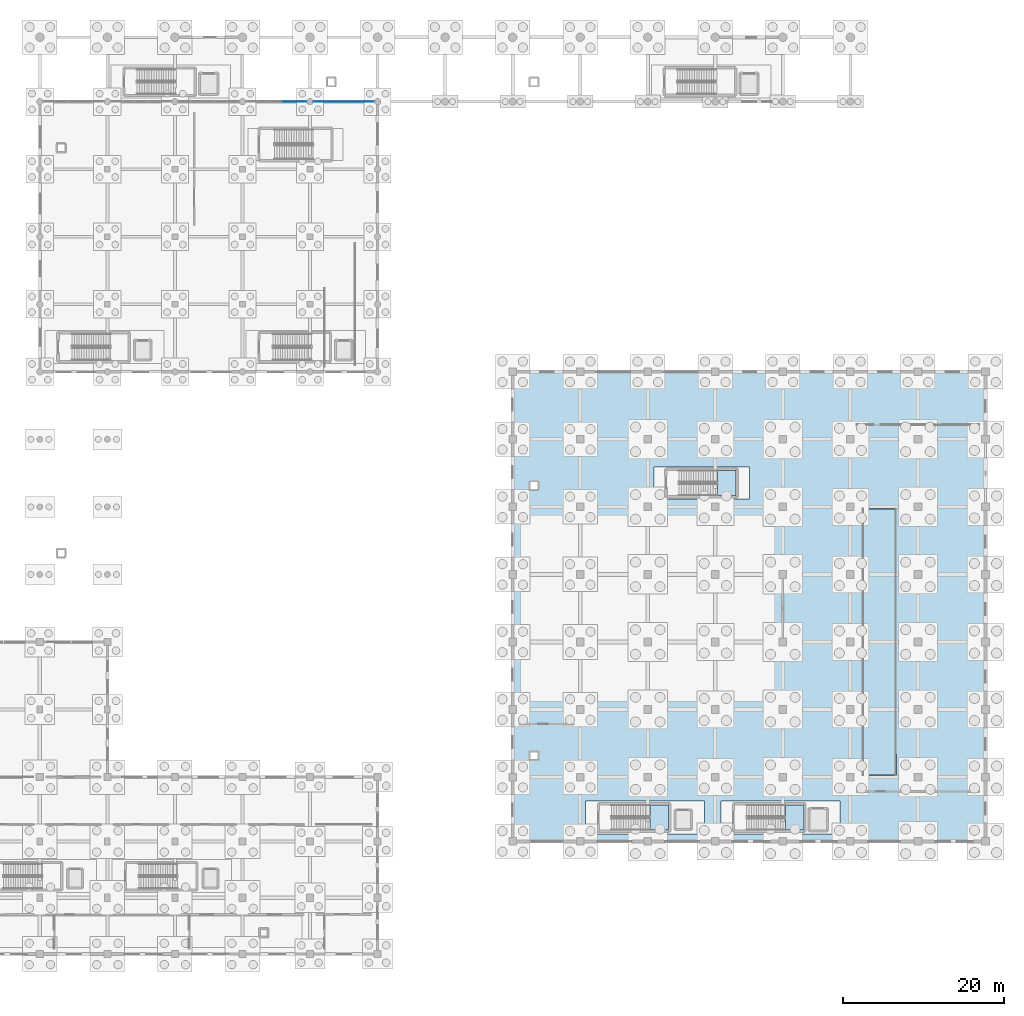
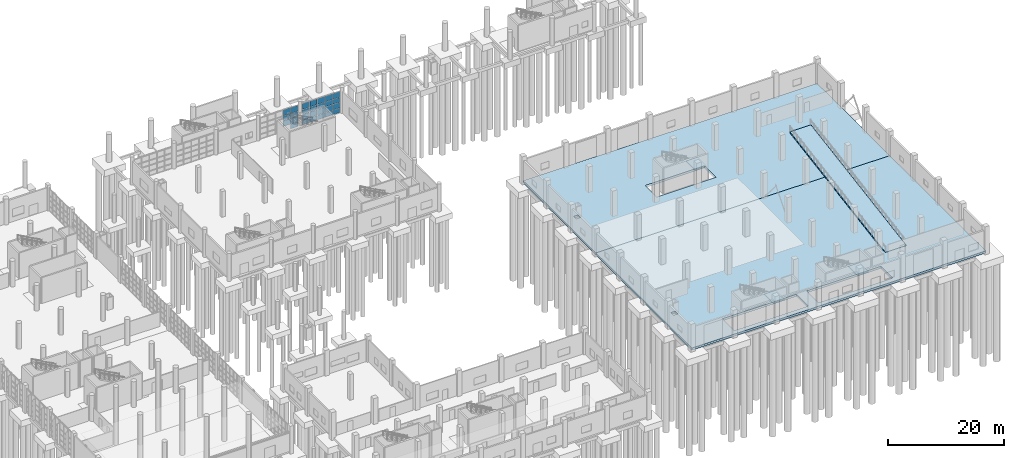
# One storey, part 45 of 83: 27 plates, 6 slabs, 5 elements without a shape of their own.
"""IFC4 building model written with IfcOpenShell, lengths in metres."""

from ifc_helpers import new_model, si_unit, direction, frame, origin, origin_2d, place, context, subcontext, project, spatial, polyline, rectangle, outline, extrude, material, layer, layer_set, type_object, element, aggregate, save


model = new_model("IFC4")

# Units and contexts
model_context = context("Model", 3, precision=1e-05, world=origin(), true_north=direction((0.0, 1.0)))
body_context = subcontext(model_context, "Body", "Model", "MODEL_VIEW")
ifc_project = project(units=[si_unit("LENGTHUNIT", "METRE"), si_unit("AREAUNIT", "SQUARE_METRE"), si_unit("VOLUMEUNIT", "CUBIC_METRE"), si_unit("PLANEANGLEUNIT", "RADIAN"), si_unit("MASSUNIT", "GRAM", prefix="KILO"), si_unit("THERMODYNAMICTEMPERATUREUNIT", "KELVIN"), si_unit("POWERUNIT", "WATT")], contexts=[model_context])

# Site, building, storey
site_placement = place(None, origin())
site = spatial("IfcSite", under=ifc_project, at=site_placement, CompositionType="ELEMENT")
building_placement = place(site_placement, origin())
building = spatial("IfcBuilding", under=site, at=building_placement, Name="Mavoryth Pier Ferry Terminal", CompositionType="ELEMENT")
storey_placement = place(building_placement, origin())
storey = spatial("IfcBuildingStorey", under=building, at=storey_placement, Name="L00", CompositionType="ELEMENT", Elevation=0.0)

# Curtain wall, plates
ifc_material_1 = material(Name="Anodised Aluminium and Solar-Control Low-E Glass", Category="aluminium")
ifc_layer_1 = layer(ifc_material_1, 0.159912109375, Name="Anodised Aluminium and Solar-Control Low-E Glass", Category="aluminium")
ifc_layer_set_1 = layer_set([ifc_layer_1], Name="Anodised Aluminium and Solar-Control Low-E Glass - CW-Arrivals-Mod1400")
curtain_wall_type = type_object("IfcCurtainWallType", Name="CW-Arrivals-Mod1400", PredefinedType="USERDEFINED", material=ifc_layer_set_1)
curtain_wall_1_placement = place(storey_placement, origin())
curtain_wall_1 = element("IfcCurtainWall", 1, at=curtain_wall_1_placement, inside=storey, type_object=curtain_wall_type, Name="Curtain Wall CW-0033-060", ObjectType="UNITISED CURTAIN WALL", PredefinedType="USERDEFINED")
ifc_material_2 = material(Name="Solar-Control Low-E Laminated Double Glazing", Category="glass")
ifc_layer_2 = layer(ifc_material_2, 0.02392578125, Name="Solar-Control Low-E Laminated Double Glazing", Category="glass")
ifc_layer_set_2 = layer_set([ifc_layer_2], Name="Solar-Control Low-E Laminated Double Glazing - Panel-LowE-DGU-24")
plate_type = type_object("IfcPlateType", Name="Panel-LowE-DGU-24", PredefinedType="CURTAIN_PANEL", material=ifc_layer_set_2)
plate_1_placement = place(storey_placement, frame((82.831787109375, 106.0, 0.06494140625), z_axis=(0.0, 0.0, 1.0), x_axis=(-1.0, 0.0, 0.0)))
plate_1 = element("IfcPlate", 2, at=plate_1_placement, type_object=plate_type, Name="CW04 panel 1.1", PredefinedType="CURTAIN_PANEL", context=body_context, shape_type="SweptSolid", body=[
    extrude(rectangle(XDim=1.426513671875, YDim=0.02392578125, at=origin_2d()), origin(), (0.0, 0.0, 1.0), 0.952392578125),
])
plate_2_placement = place(storey_placement, frame((82.831787109375, 106.0, 1.08251953125), z_axis=(0.0, 0.0, 1.0), x_axis=(-1.0, 0.0, 0.0)))
plate_2 = element("IfcPlate", 3, at=plate_2_placement, type_object=plate_type, Name="CW04 panel 1.2", PredefinedType="CURTAIN_PANEL", context=body_context, shape_type="SweptSolid", body=[
    extrude(rectangle(XDim=1.426513671875, YDim=0.02392578125, at=origin_2d()), origin(), (0.0, 0.0, 1.0), 1.135009765625),
])
plate_3_placement = place(storey_placement, frame((82.831787109375, 106.0, 2.2822265625), z_axis=(0.0, 0.0, 1.0), x_axis=(-1.0, 0.0, 0.0)))
plate_3 = element("IfcPlate", 4, at=plate_3_placement, type_object=plate_type, Name="CW04 panel 1.3", PredefinedType="CURTAIN_PANEL", context=body_context, shape_type="SweptSolid", body=[
    extrude(rectangle(XDim=1.426513671875, YDim=0.02392578125, at=origin_2d()), origin(), (0.0, 0.0, 1.0), 0.985107421875),
])
plate_4_placement = place(storey_placement, frame((82.831787109375, 106.0, 3.33251953125), z_axis=(0.0, 0.0, 1.0), x_axis=(-1.0, 0.0, 0.0)))
plate_4 = element("IfcPlate", 5, at=plate_4_placement, type_object=plate_type, Name="CW04 panel 1.4", PredefinedType="CURTAIN_PANEL", context=body_context, shape_type="SweptSolid", body=[
    extrude(rectangle(XDim=1.426513671875, YDim=0.02392578125, at=origin_2d()), origin(), (0.0, 0.0, 1.0), 1.20751953125),
])
plate_5_placement = place(storey_placement, frame((81.323974609375, 106.0, 1.08251953125), z_axis=(0.0, 0.0, 1.0), x_axis=(-1.0, 0.0, 0.0)))
plate_5 = element("IfcPlate", 6, at=plate_5_placement, type_object=plate_type, Name="CW04 panel 2.2", PredefinedType="CURTAIN_PANEL", context=body_context, shape_type="SweptSolid", body=[
    extrude(rectangle(XDim=1.458984375, YDim=0.02392578125, at=origin_2d()), origin(), (0.0, 0.0, 1.0), 1.135009765625),
])
plate_6_placement = place(storey_placement, frame((81.323974609375, 106.0, 2.2822265625), z_axis=(0.0, 0.0, 1.0), x_axis=(-1.0, 0.0, 0.0)))
plate_6 = element("IfcPlate", 7, at=plate_6_placement, type_object=plate_type, Name="CW04 panel 2.3", PredefinedType="CURTAIN_PANEL", context=body_context, shape_type="SweptSolid", body=[
    extrude(rectangle(XDim=1.458984375, YDim=0.02392578125, at=origin_2d()), origin(), (0.0, 0.0, 1.0), 0.985107421875),
])
plate_7_placement = place(storey_placement, frame((81.323974609375, 106.0, 3.33251953125), z_axis=(0.0, 0.0, 1.0), x_axis=(-1.0, 0.0, 0.0)))
plate_7 = element("IfcPlate", 8, at=plate_7_placement, type_object=plate_type, Name="CW04 panel 2.4", PredefinedType="CURTAIN_PANEL", context=body_context, shape_type="SweptSolid", body=[
    extrude(rectangle(XDim=1.458984375, YDim=0.02392578125, at=origin_2d()), origin(), (0.0, 0.0, 1.0), 1.20751953125),
])
aggregate(curtain_wall_1, [plate_1, plate_2, plate_3, plate_4, plate_5, plate_6, plate_7])

curtain_wall_2_placement = place(storey_placement, origin())
curtain_wall_2 = element("IfcCurtainWall", 9, at=curtain_wall_2_placement, inside=storey, type_object=curtain_wall_type, Name="Curtain Wall CW-0033-063", ObjectType="UNITISED CURTAIN WALL", PredefinedType="USERDEFINED")
plate_8_placement = place(storey_placement, frame((91.231689453125, 106.0, 0.06494140625), z_axis=(0.0, 0.0, 1.0), x_axis=(-1.0, 0.0, 0.0)))
plate_8 = element("IfcPlate", 10, at=plate_8_placement, type_object=plate_type, Name="CW04 panel 1.1", PredefinedType="CURTAIN_PANEL", context=body_context, shape_type="SweptSolid", body=[
    extrude(rectangle(XDim=1.426513671875, YDim=0.02392578125, at=origin_2d()), origin(), (0.0, 0.0, 1.0), 0.952392578125),
])
plate_9_placement = place(storey_placement, frame((91.231689453125, 106.0, 1.08251953125), z_axis=(0.0, 0.0, 1.0), x_axis=(-1.0, 0.0, 0.0)))
plate_9 = element("IfcPlate", 11, at=plate_9_placement, type_object=plate_type, Name="CW04 panel 1.2", PredefinedType="CURTAIN_PANEL", context=body_context, shape_type="SweptSolid", body=[
    extrude(rectangle(XDim=1.426513671875, YDim=0.02392578125, at=origin_2d()), origin(), (0.0, 0.0, 1.0), 1.135009765625),
])
plate_10_placement = place(storey_placement, frame((91.231689453125, 106.0, 2.2822265625), z_axis=(0.0, 0.0, 1.0), x_axis=(-1.0, 0.0, 0.0)))
plate_10 = element("IfcPlate", 12, at=plate_10_placement, type_object=plate_type, Name="CW04 panel 1.3", PredefinedType="CURTAIN_PANEL", context=body_context, shape_type="SweptSolid", body=[
    extrude(rectangle(XDim=1.426513671875, YDim=0.02392578125, at=origin_2d()), origin(), (0.0, 0.0, 1.0), 0.985107421875),
])
plate_11_placement = place(storey_placement, frame((91.231689453125, 106.0, 3.33251953125), z_axis=(0.0, 0.0, 1.0), x_axis=(-1.0, 0.0, 0.0)))
plate_11 = element("IfcPlate", 13, at=plate_11_placement, type_object=plate_type, Name="CW04 panel 1.4", PredefinedType="CURTAIN_PANEL", context=body_context, shape_type="SweptSolid", body=[
    extrude(rectangle(XDim=1.426513671875, YDim=0.02392578125, at=origin_2d()), origin(), (0.0, 0.0, 1.0), 1.20751953125),
])
plate_12_placement = place(storey_placement, frame((89.72412109375, 106.0, 0.06494140625), z_axis=(0.0, 0.0, 1.0), x_axis=(-1.0, 0.0, 0.0)))
plate_12 = element("IfcPlate", 14, at=plate_12_placement, type_object=plate_type, Name="CW04 panel 2.1", PredefinedType="CURTAIN_PANEL", context=body_context, shape_type="SweptSolid", body=[
    extrude(rectangle(XDim=1.458984375, YDim=0.02392578125, at=origin_2d()), origin(), (0.0, 0.0, 1.0), 0.952392578125),
])
plate_13_placement = place(storey_placement, frame((89.72412109375, 106.0, 1.08251953125), z_axis=(0.0, 0.0, 1.0), x_axis=(-1.0, 0.0, 0.0)))
plate_13 = element("IfcPlate", 15, at=plate_13_placement, type_object=plate_type, Name="CW04 panel 2.2", PredefinedType="CURTAIN_PANEL", context=body_context, shape_type="SweptSolid", body=[
    extrude(rectangle(XDim=1.458984375, YDim=0.02392578125, at=origin_2d()), origin(), (0.0, 0.0, 1.0), 1.135009765625),
])
plate_14_placement = place(storey_placement, frame((89.72412109375, 106.0, 2.2822265625), z_axis=(0.0, 0.0, 1.0), x_axis=(-1.0, 0.0, 0.0)))
plate_14 = element("IfcPlate", 16, at=plate_14_placement, type_object=plate_type, Name="CW04 panel 2.3", PredefinedType="CURTAIN_PANEL", context=body_context, shape_type="SweptSolid", body=[
    extrude(rectangle(XDim=1.458984375, YDim=0.02392578125, at=origin_2d()), origin(), (0.0, 0.0, 1.0), 0.985107421875),
])
plate_15_placement = place(storey_placement, frame((89.72412109375, 106.0, 3.33251953125), z_axis=(0.0, 0.0, 1.0), x_axis=(-1.0, 0.0, 0.0)))
plate_15 = element("IfcPlate", 17, at=plate_15_placement, type_object=plate_type, Name="CW04 panel 2.4", PredefinedType="CURTAIN_PANEL", context=body_context, shape_type="SweptSolid", body=[
    extrude(rectangle(XDim=1.458984375, YDim=0.02392578125, at=origin_2d()), origin(), (0.0, 0.0, 1.0), 1.20751953125),
])
plate_16_placement = place(storey_placement, frame((88.199951171875, 106.0, 0.06494140625), z_axis=(0.0, 0.0, 1.0), x_axis=(-1.0, 0.0, 0.0)))
plate_16 = element("IfcPlate", 18, at=plate_16_placement, type_object=plate_type, Name="CW04 panel 3.1", PredefinedType="CURTAIN_PANEL", context=body_context, shape_type="SweptSolid", body=[
    extrude(rectangle(XDim=1.458984375, YDim=0.02392578125, at=origin_2d()), origin(), (0.0, 0.0, 1.0), 0.952392578125),
])
plate_17_placement = place(storey_placement, frame((88.199951171875, 106.0, 1.08251953125), z_axis=(0.0, 0.0, 1.0), x_axis=(-1.0, 0.0, 0.0)))
plate_17 = element("IfcPlate", 19, at=plate_17_placement, type_object=plate_type, Name="CW04 panel 3.2", PredefinedType="CURTAIN_PANEL", context=body_context, shape_type="SweptSolid", body=[
    extrude(rectangle(XDim=1.458984375, YDim=0.02392578125, at=origin_2d()), origin(), (0.0, 0.0, 1.0), 1.135009765625),
])
plate_18_placement = place(storey_placement, frame((88.199951171875, 106.0, 2.2822265625), z_axis=(0.0, 0.0, 1.0), x_axis=(-1.0, 0.0, 0.0)))
plate_18 = element("IfcPlate", 20, at=plate_18_placement, type_object=plate_type, Name="CW04 panel 3.3", PredefinedType="CURTAIN_PANEL", context=body_context, shape_type="SweptSolid", body=[
    extrude(rectangle(XDim=1.458984375, YDim=0.02392578125, at=origin_2d()), origin(), (0.0, 0.0, 1.0), 0.985107421875),
])
plate_19_placement = place(storey_placement, frame((88.199951171875, 106.0, 3.33251953125), z_axis=(0.0, 0.0, 1.0), x_axis=(-1.0, 0.0, 0.0)))
plate_19 = element("IfcPlate", 21, at=plate_19_placement, type_object=plate_type, Name="CW04 panel 3.4", PredefinedType="CURTAIN_PANEL", context=body_context, shape_type="SweptSolid", body=[
    extrude(rectangle(XDim=1.458984375, YDim=0.02392578125, at=origin_2d()), origin(), (0.0, 0.0, 1.0), 1.20751953125),
])
plate_20_placement = place(storey_placement, frame((86.676025390625, 106.0, 0.06494140625), z_axis=(0.0, 0.0, 1.0), x_axis=(-1.0, 0.0, 0.0)))
plate_20 = element("IfcPlate", 22, at=plate_20_placement, type_object=plate_type, Name="CW04 panel 4.1", PredefinedType="CURTAIN_PANEL", context=body_context, shape_type="SweptSolid", body=[
    extrude(rectangle(XDim=1.458984375, YDim=0.02392578125, at=origin_2d()), origin(), (0.0, 0.0, 1.0), 0.952392578125),
])
plate_21_placement = place(storey_placement, frame((86.676025390625, 106.0, 1.08251953125), z_axis=(0.0, 0.0, 1.0), x_axis=(-1.0, 0.0, 0.0)))
plate_21 = element("IfcPlate", 23, at=plate_21_placement, type_object=plate_type, Name="CW04 panel 4.2", PredefinedType="CURTAIN_PANEL", context=body_context, shape_type="SweptSolid", body=[
    extrude(rectangle(XDim=1.458984375, YDim=0.02392578125, at=origin_2d()), origin(), (0.0, 0.0, 1.0), 1.135009765625),
])
plate_22_placement = place(storey_placement, frame((86.676025390625, 106.0, 2.2822265625), z_axis=(0.0, 0.0, 1.0), x_axis=(-1.0, 0.0, 0.0)))
plate_22 = element("IfcPlate", 24, at=plate_22_placement, type_object=plate_type, Name="CW04 panel 4.3", PredefinedType="CURTAIN_PANEL", context=body_context, shape_type="SweptSolid", body=[
    extrude(rectangle(XDim=1.458984375, YDim=0.02392578125, at=origin_2d()), origin(), (0.0, 0.0, 1.0), 0.985107421875),
])
plate_23_placement = place(storey_placement, frame((86.676025390625, 106.0, 3.33251953125), z_axis=(0.0, 0.0, 1.0), x_axis=(-1.0, 0.0, 0.0)))
plate_23 = element("IfcPlate", 25, at=plate_23_placement, type_object=plate_type, Name="CW04 panel 4.4", PredefinedType="CURTAIN_PANEL", context=body_context, shape_type="SweptSolid", body=[
    extrude(rectangle(XDim=1.458984375, YDim=0.02392578125, at=origin_2d()), origin(), (0.0, 0.0, 1.0), 1.20751953125),
])
plate_24_placement = place(storey_placement, frame((85.168212890625, 106.0, 0.06494140625), z_axis=(0.0, 0.0, 1.0), x_axis=(-1.0, 0.0, 0.0)))
plate_24 = element("IfcPlate", 26, at=plate_24_placement, type_object=plate_type, Name="CW04 panel 5.1", PredefinedType="CURTAIN_PANEL", context=body_context, shape_type="SweptSolid", body=[
    extrude(rectangle(XDim=1.426513671875, YDim=0.02392578125, at=origin_2d()), origin(), (0.0, 0.0, 1.0), 0.952392578125),
])
plate_25_placement = place(storey_placement, frame((85.168212890625, 106.0, 1.08251953125), z_axis=(0.0, 0.0, 1.0), x_axis=(-1.0, 0.0, 0.0)))
plate_25 = element("IfcPlate", 27, at=plate_25_placement, type_object=plate_type, Name="CW04 panel 5.2", PredefinedType="CURTAIN_PANEL", context=body_context, shape_type="SweptSolid", body=[
    extrude(rectangle(XDim=1.426513671875, YDim=0.02392578125, at=origin_2d()), origin(), (0.0, 0.0, 1.0), 1.135009765625),
])
plate_26_placement = place(storey_placement, frame((85.168212890625, 106.0, 2.2822265625), z_axis=(0.0, 0.0, 1.0), x_axis=(-1.0, 0.0, 0.0)))
plate_26 = element("IfcPlate", 28, at=plate_26_placement, type_object=plate_type, Name="CW04 panel 5.3", PredefinedType="CURTAIN_PANEL", context=body_context, shape_type="SweptSolid", body=[
    extrude(rectangle(XDim=1.426513671875, YDim=0.02392578125, at=origin_2d()), origin(), (0.0, 0.0, 1.0), 0.985107421875),
])
plate_27_placement = place(storey_placement, frame((85.168212890625, 106.0, 3.33251953125), z_axis=(0.0, 0.0, 1.0), x_axis=(-1.0, 0.0, 0.0)))
plate_27 = element("IfcPlate", 29, at=plate_27_placement, type_object=plate_type, Name="CW04 panel 5.4", PredefinedType="CURTAIN_PANEL", context=body_context, shape_type="SweptSolid", body=[
    extrude(rectangle(XDim=1.426513671875, YDim=0.02392578125, at=origin_2d()), origin(), (0.0, 0.0, 1.0), 1.20751953125),
])
aggregate(curtain_wall_2, [plate_8, plate_9, plate_10, plate_11, plate_12, plate_13, plate_14, plate_15, plate_16, plate_17, plate_18, plate_19, plate_20, plate_21, plate_22, plate_23, plate_24, plate_25, plate_26, plate_27])

# Slabs
ifc_material_3 = material(Name="Concrete C35/45", Category="concrete")
ifc_layer_3 = layer(ifc_material_3, 0.4599609375, Name="Concrete C35/45", Category="concrete")
ifc_layer_set_3 = layer_set([ifc_layer_3], Name="Concrete C35/45 - Slab-Base-Vehicle-460")
slab_type_1 = type_object("IfcSlabType", Name="Slab-Base-Vehicle-460", PredefinedType="BASESLAB", material=ifc_layer_set_3)
slab_1_placement = place(storey_placement, frame((0.0, 0.0, -0.4599609375)))
element("IfcSlab", 30, at=slab_1_placement, inside=storey, type_object=slab_type_1, Name="Slab SLB-V4S-L00", PredefinedType="BASESLAB", context=body_context, shape_type="SweptSolid", body=[
    extrude(outline(polyline([(109.199951171875, 14.0), (168.0, 14.0), (168.0, 47.199951171875), (109.199951171875, 47.199951171875), (109.199951171875, 14.0)]), holes=[polyline([(152.659912109375, 22.25), (156.93994140625, 22.25), (156.93994140625, 24.85009765625), (152.659912109375, 24.85009765625), (152.659912109375, 22.25)]), polyline([(111.39990234375, 24.199951171875), (112.300048828125, 24.199951171875), (112.300048828125, 25.10009765625), (111.39990234375, 25.10009765625), (111.39990234375, 24.199951171875)]), polyline([(118.22998046875, 14.925048828125), (133.070068359375, 14.925048828125), (133.070068359375, 19.02490234375), (118.22998046875, 19.02490234375), (118.22998046875, 14.925048828125)]), polyline([(135.080078125, 14.925048828125), (149.919921875, 14.925048828125), (149.919921875, 19.02490234375), (135.080078125, 19.02490234375), (135.080078125, 14.925048828125)])]), origin(), (0.0, 0.0, 1.0), 0.4599609375),
])
slab_2_placement = place(storey_placement, frame((0.0, 0.0, -0.4599609375)))
element("IfcSlab", 31, at=slab_2_placement, inside=storey, type_object=slab_type_1, Name="Slab SLB-V4N-L00", PredefinedType="BASESLAB", context=body_context, shape_type="SweptSolid", body=[
    extrude(outline(polyline([(109.199951171875, 47.199951171875), (168.0, 47.199951171875), (168.0, 72.39990234375), (109.199951171875, 72.39990234375), (109.199951171875, 47.199951171875)]), holes=[polyline([(111.39990234375, 57.800048828125), (112.300048828125, 57.800048828125), (112.300048828125, 58.699951171875), (111.39990234375, 58.699951171875), (111.39990234375, 57.800048828125)]), polyline([(126.780029296875, 56.574951171875), (138.6201171875, 56.574951171875), (138.6201171875, 60.574951171875), (126.780029296875, 60.574951171875), (126.780029296875, 56.574951171875)])]), origin(), (0.0, 0.0, 1.0), 0.4599609375),
])

# Stair, slab
stair_type = type_object("IfcStairType", Name="Stair-Core-W1500", PredefinedType="TWO_STRAIGHT_RUN_STAIR", material=ifc_material_3)
stair_1_placement = place(storey_placement, origin())
stair_1 = element("IfcStair", 32, at=stair_1_placement, inside=storey, type_object=stair_type, Name="L00 Core C4A Stair", PredefinedType="TWO_STRAIGHT_RUN_STAIR")
ifc_layer_4 = layer(ifc_material_3, 0.199951171875, Name="Concrete C35/45", Category="concrete")
ifc_layer_set_4 = layer_set([ifc_layer_4], Name="Concrete C35/45 - Slab-Landing-RC-200")
slab_type_2 = type_object("IfcSlabType", Name="Slab-Landing-RC-200", PredefinedType="LANDING", material=ifc_layer_set_4)
slab_3_placement = place(storey_placement, frame((0.0, 0.0, 2.52001953125)))
slab_3 = element("IfcSlab", 33, at=slab_3_placement, type_object=slab_type_2, Name="ST08 landing 1", PredefinedType="LANDING", context=body_context, shape_type="SweptSolid", body=[
    extrude(outline(polyline([(126.300048828125, 15.39990234375), (128.60009765625, 15.39990234375), (128.60009765625, 18.550048828125), (126.300048828125, 18.550048828125), (126.300048828125, 15.39990234375)])), origin(), (0.0, 0.0, 1.0), 0.199951171875),
])
aggregate(stair_1, [slab_3])

stair_2_placement = place(storey_placement, origin())
stair_2 = element("IfcStair", 34, at=stair_2_placement, inside=storey, type_object=stair_type, Name="L00 Core C4B Stair", PredefinedType="TWO_STRAIGHT_RUN_STAIR")
slab_4_placement = place(storey_placement, frame((0.0, 0.0, 2.52001953125)))
slab_4 = element("IfcSlab", 35, at=slab_4_placement, type_object=slab_type_2, Name="ST09 landing 1", PredefinedType="LANDING", context=body_context, shape_type="SweptSolid", body=[
    extrude(outline(polyline([(143.10009765625, 15.39990234375), (145.39990234375, 15.39990234375), (145.39990234375, 18.550048828125), (143.10009765625, 18.550048828125), (143.10009765625, 15.39990234375)])), origin(), (0.0, 0.0, 1.0), 0.199951171875),
])
aggregate(stair_2, [slab_4])

stair_3_placement = place(storey_placement, origin())
stair_3 = element("IfcStair", 36, at=stair_3_placement, inside=storey, type_object=stair_type, Name="L00 Core C4C Stair", PredefinedType="TWO_STRAIGHT_RUN_STAIR")
slab_5_placement = place(storey_placement, frame((0.0, 0.0, 2.52001953125)))
slab_5 = element("IfcSlab", 37, at=slab_5_placement, type_object=slab_type_2, Name="ST10 landing 1", PredefinedType="LANDING", context=body_context, shape_type="SweptSolid", body=[
    extrude(outline(polyline([(134.699951171875, 57.0), (137.0, 57.0), (137.0, 60.14990234375), (134.699951171875, 60.14990234375), (134.699951171875, 57.0)])), origin(), (0.0, 0.0, 1.0), 0.199951171875),
])
aggregate(stair_3, [slab_5])

# Slab
ifc_material_4 = material(Name="Concrete C40/50", Category="concrete")
ifc_layer_5 = layer(ifc_material_4, 0.280029296875, Name="Concrete C40/50", Category="concrete")
ifc_layer_set_5 = layer_set([ifc_layer_5], Name="Concrete C40/50 - Slab-Ramp-Vehicle-280")
slab_type_3 = type_object("IfcSlabType", Name="Slab-Ramp-Vehicle-280", PredefinedType="FLOOR", material=ifc_layer_set_5)
slab_6_placement = place(storey_placement, frame((152.699951171875, 22.260009765625, 0.0), z_axis=(0.0, -0.162268183696, 0.98674669321), x_axis=(1.0, 0.0, 0.0)))
element("IfcSlab", 38, at=slab_6_placement, inside=storey, type_object=slab_type_3, Name="Vehicle Ramp VR01 Structural Slab", PredefinedType="FLOOR", context=body_context, shape_type="SweptSolid", body=[
    extrude(outline(polyline([(0.0, 0.0), (4.199951171875, 0.0), (4.199951171875, 33.5243871123625), (0.0, 33.5243871123625), (0.0, 0.0)])), origin(), (0.0, 0.0, -1.0), 0.280029296875),
])

save(model, "model.ifc")
